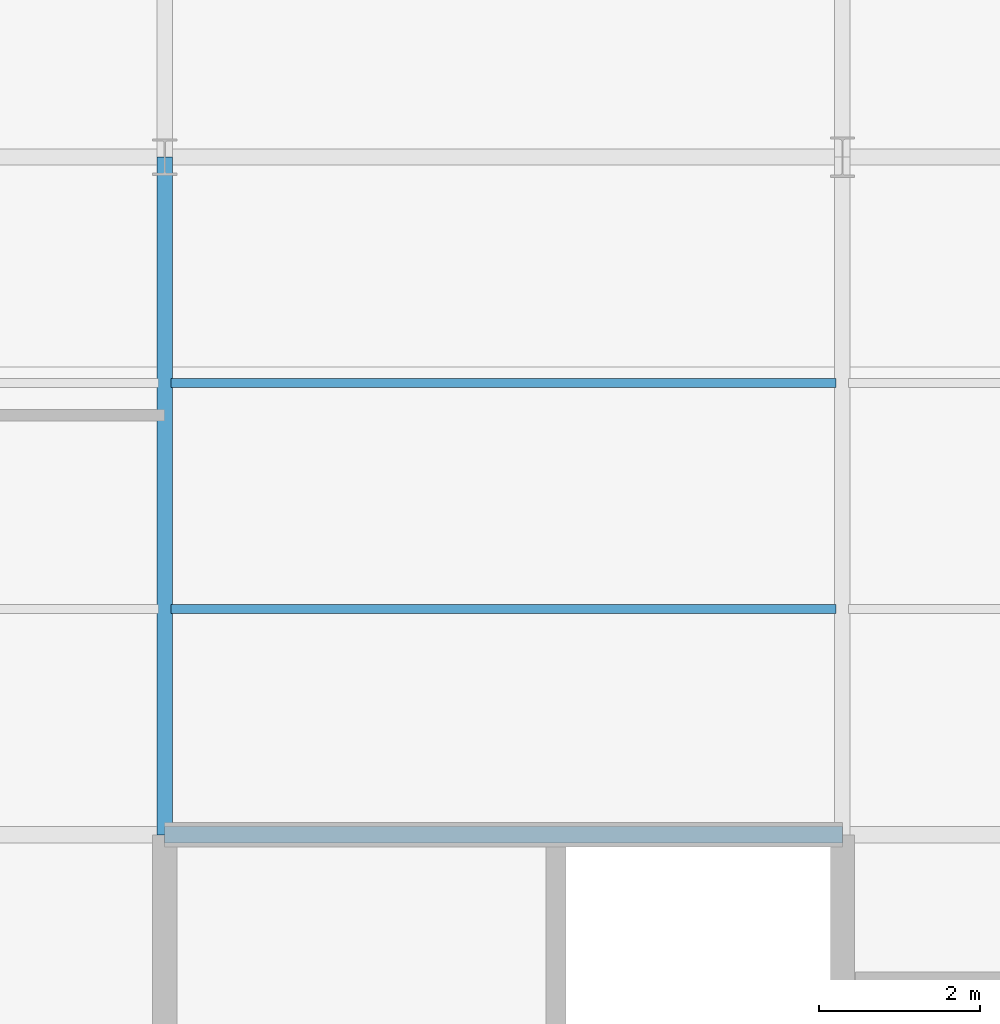
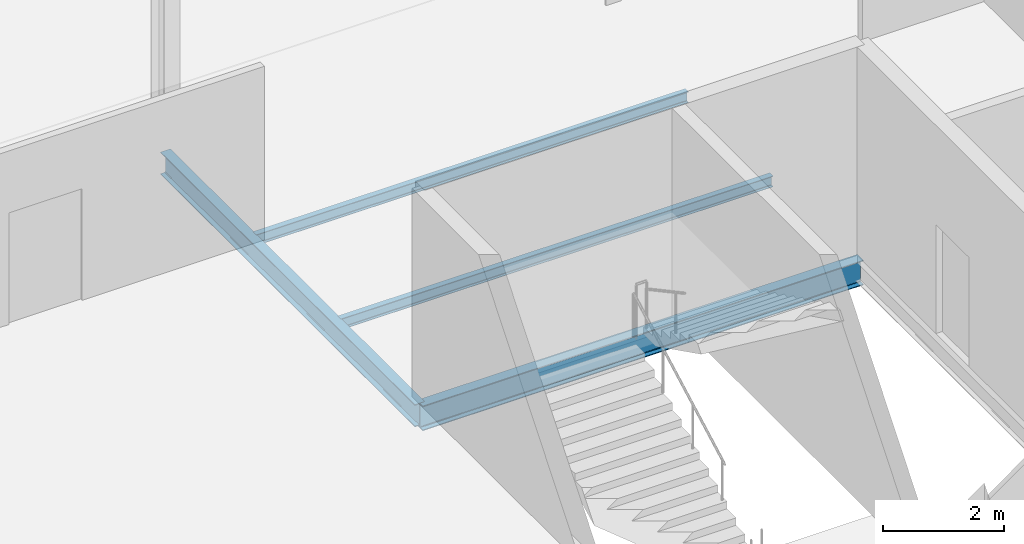
# One storey, part 20 of 65: 4 beams.
"""IFC4 building model written with IfcOpenShell, lengths in metres."""

from ifc_helpers import new_model, si_unit, direction, frame, origin, origin_2d, place, context, subcontext, project, spatial, i_section, extrude, material, material_profile, profile_set, type_object, element, save


model = new_model("IFC4")

# Units and contexts
model_context = context("Model", 3, precision=1e-05, world=origin(), true_north=direction((0.0, 1.0)))
body_context = subcontext(model_context, "Body", "Model", "MODEL_VIEW")
ifc_project = project(units=[si_unit("LENGTHUNIT", "METRE"), si_unit("AREAUNIT", "SQUARE_METRE"), si_unit("VOLUMEUNIT", "CUBIC_METRE"), si_unit("PLANEANGLEUNIT", "RADIAN"), si_unit("MASSUNIT", "GRAM", prefix="KILO")], contexts=[model_context])

# Site, building, storey
site_placement = place(None, origin())
site = spatial("IfcSite", under=ifc_project, at=site_placement, CompositionType="ELEMENT")
building_placement = place(site_placement, origin())
building = spatial("IfcBuilding", under=site, at=building_placement, Name="Qalvenar Corner Mobility Hub", CompositionType="ELEMENT")
storey_placement = place(building_placement, frame((0.0, 0.0, 17.39990234375)))
storey = spatial("IfcBuildingStorey", under=building, at=storey_placement, Name="L04", CompositionType="ELEMENT", Elevation=17.39990234375)

# Beams
ifc_material = material(Name="Steel S355", Category="steel")
ifc_material_profile_1 = material_profile(ifc_material, i_section(OverallWidth=0.18994140625, OverallDepth=0.449951171875, WebThickness=0.009521484375, FlangeThickness=0.0146484375, FilletRadius=0.02099609375, at=origin_2d()), Name="IPE450")
ifc_profile_set_1 = profile_set([ifc_material_profile_1], Name="Steel S355")
beam_type_1 = type_object("IfcBeamType", Name="BM-IPE450", PredefinedType="BEAM", material=ifc_profile_set_1)
beam_1_placement = place(storey_placement, frame((8.39990234375, 16.800048828125, -0.40478515625), z_axis=(0.0, 1.0, 0.0), x_axis=(-1.0, 0.0, 0.0)))
element("IfcBeam", 1, at=beam_1_placement, inside=storey, type_object=beam_type_1, Name="Primary Steel Girder GY-2634", PredefinedType="BEAM", context=body_context, shape_type="SweptSolid", body=[
    extrude(i_section(OverallWidth=0.18994140625, OverallDepth=0.449951171875, WebThickness=0.009521484375, FlangeThickness=0.0146484375, FilletRadius=0.02099609375, at=origin_2d()), origin(), (0.0, 0.0, 1.0), 8.39990234375),
])
ifc_material_profile_2 = material_profile(ifc_material, i_section(OverallWidth=0.199951171875, OverallDepth=0.5, WebThickness=0.01025390625, FlangeThickness=0.01611328125, FilletRadius=0.02099609375, at=origin_2d()), Name="IPE500")
ifc_profile_set_2 = profile_set([ifc_material_profile_2], Name="Steel S355")
beam_type_2 = type_object("IfcBeamType", Name="BM-IPE500", PredefinedType="BEAM", material=ifc_profile_set_2)
beam_2_placement = place(storey_placement, frame((8.39990234375, 16.800048828125, -0.429931640625), z_axis=(1.0, 0.0, 0.0), x_axis=(0.0, 1.0, 0.0)))
element("IfcBeam", 2, at=beam_2_placement, inside=storey, type_object=beam_type_2, Name="Primary Steel Girder GX-2604", PredefinedType="BEAM", context=body_context, shape_type="SweptSolid", body=[
    extrude(i_section(OverallWidth=0.199951171875, OverallDepth=0.5, WebThickness=0.01025390625, FlangeThickness=0.01611328125, FilletRadius=0.02099609375, at=origin_2d()), origin(), (0.0, 0.0, 1.0), 8.400146484375),
])
ifc_material_profile_3 = material_profile(ifc_material, i_section(OverallWidth=0.110107421875, OverallDepth=0.219970703125, WebThickness=0.005859375, FlangeThickness=0.00927734375, FilletRadius=0.011962890625, at=origin_2d()), Name="IPE220")
ifc_profile_set_3 = profile_set([ifc_material_profile_3], Name="Steel S355")
beam_type_3 = type_object("IfcBeamType", Name="BM-JST220", PredefinedType="JOIST", material=ifc_profile_set_3)
for number, where, z_axis, x_axis, name in (
    (3, (8.47802734375, 19.60009765625, -0.289794921875), (1.0, 0.0, 0.0), (0.0, 1.0, 0.0), "Composite Floor Joist J-2675"),
    (4, (8.47802734375, 22.39990234375, -0.289794921875), (1.0, 0.0, 0.0), (0.0, 1.0, 0.0), "Composite Floor Joist J-2676"),
):
    element("IfcBeam", number, at=place(storey_placement, frame(where, z_axis=z_axis, x_axis=x_axis)), inside=storey, type_object=beam_type_3, Name=name, PredefinedType="JOIST", context=body_context, shape_type="SweptSolid", body=[
        extrude(i_section(OverallWidth=0.110107421875, OverallDepth=0.219970703125, WebThickness=0.005859375, FlangeThickness=0.00927734375, FilletRadius=0.011962890625, at=origin_2d()), origin(), (0.0, 0.0, 1.0), 8.243896484375),
    ])

save(model, "model.ifc")
